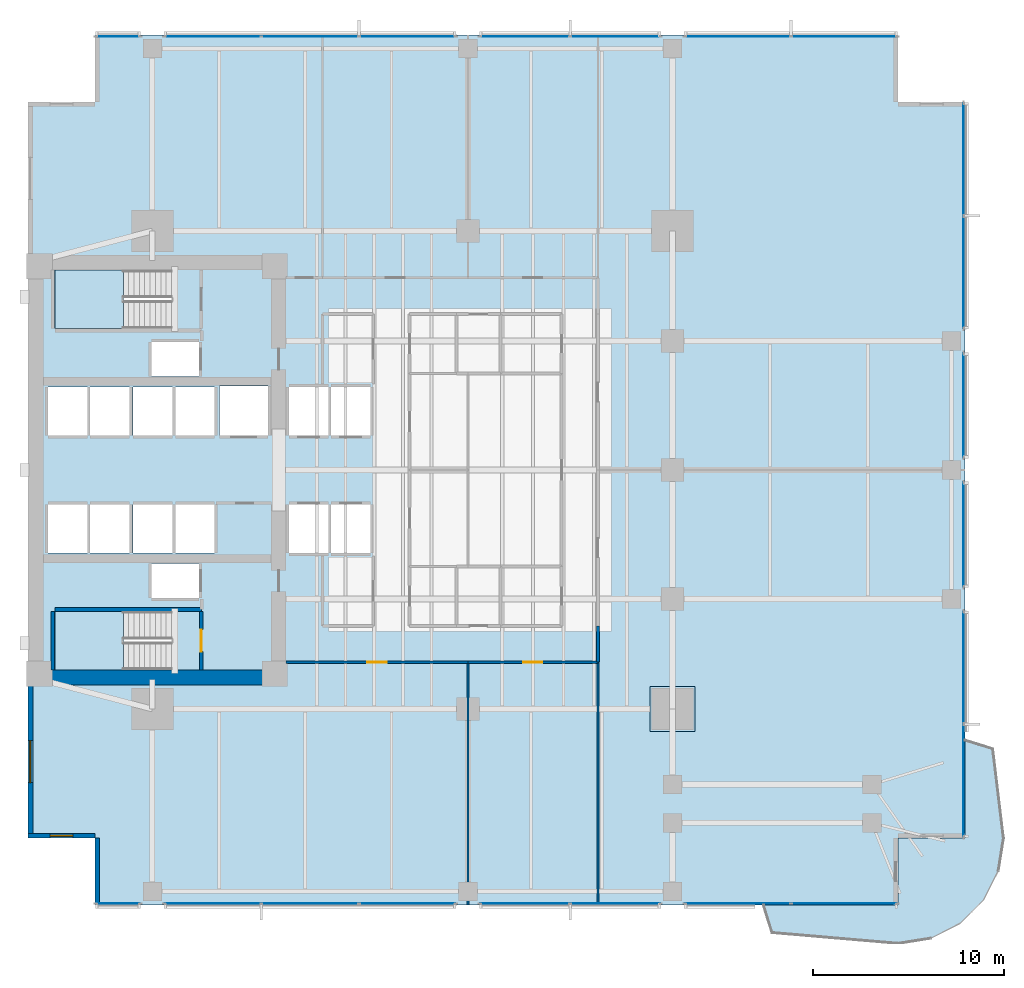
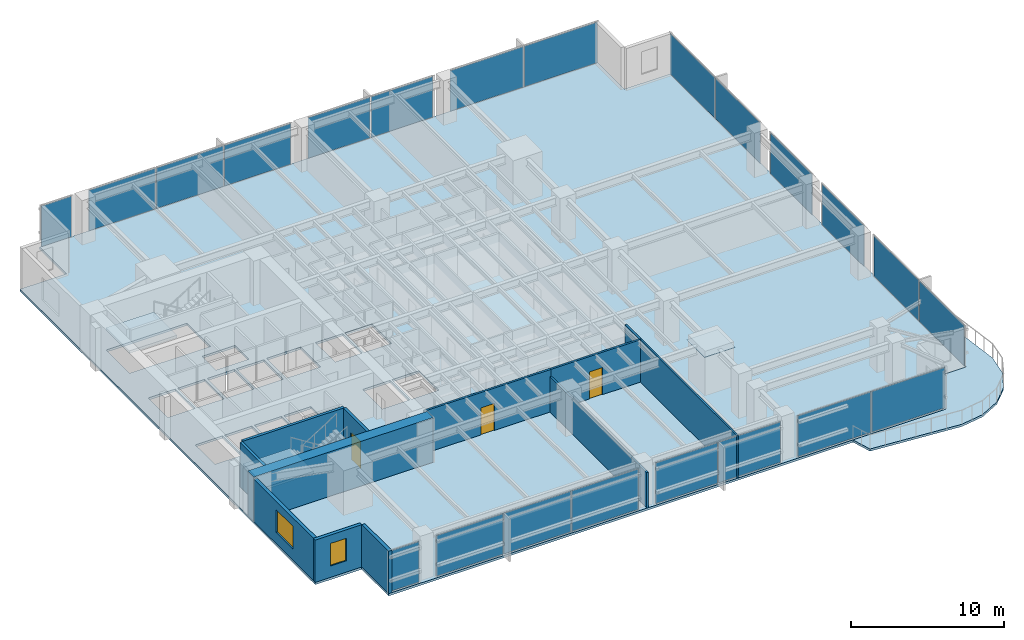
# One storey, part 7 of 15: 23 plates, 12 walls, 4 slabs, 3 doors, 2 windows, 5 openings, 14 elements without a shape of their own.
"""IFC4 building model written with IfcOpenShell, lengths in metres."""

from ifc_helpers import new_model, si_unit, direction, frame, frame_2d, origin, origin_2d, place, context, subcontext, project, spatial, polyline, rectangle, outline, extrude, material, layer, layer_set, type_object, element, fill, aggregate, save


model = new_model("IFC4")

# Units and contexts
model_context = context("Model", 3, precision=1e-05, world=origin(), true_north=direction((0.0, 1.0)))
body_context = subcontext(model_context, "Body", "Model", "MODEL_VIEW")
ifc_project = project(units=[si_unit("LENGTHUNIT", "METRE"), si_unit("AREAUNIT", "SQUARE_METRE"), si_unit("VOLUMEUNIT", "CUBIC_METRE"), si_unit("PLANEANGLEUNIT", "RADIAN"), si_unit("MASSUNIT", "GRAM", prefix="KILO")], contexts=[model_context])

# Site, building, storey
site_placement = place(None, origin())
site = spatial("IfcSite", under=ifc_project, at=site_placement, CompositionType="ELEMENT")
building_placement = place(site_placement, origin())
building = spatial("IfcBuilding", under=site, at=building_placement, Name="Kinhvarn Gate Tower", CompositionType="ELEMENT")
storey_placement = place(building_placement, frame((0.0, 0.0, 43.35009765625)))
storey = spatial("IfcBuildingStorey", under=building, at=storey_placement, Name="L10", CompositionType="ELEMENT", Elevation=43.35009765625)

# Curtain wall, plate
ifc_material_1 = material(Name="Anodised aluminium AW-6063", Category="aluminium")
ifc_layer_1 = layer(ifc_material_1, 0.179931640625)
ifc_layer_set_1 = layer_set([ifc_layer_1], Name="Anodised aluminium AW-6063")
curtain_wall_type = type_object("IfcCurtainWallType", Name="CW-SYS-2", PredefinedType="NOTDEFINED", material=ifc_layer_set_1)
curtain_wall_1_placement = place(storey_placement, origin())
curtain_wall_1 = element("IfcCurtainWall", 1, at=curtain_wall_1_placement, inside=storey, type_object=curtain_wall_type, Name="Curtain Wall CW2 (L10)", PredefinedType="NOTDEFINED")
ifc_material_2 = material(Name="Clear low-e double glazing", Category="glass")
ifc_layer_2 = layer(ifc_material_2, 0.031982421875)
ifc_layer_set_2 = layer_set([ifc_layer_2], Name="Clear low-e double glazing")
plate_type_1 = type_object("IfcPlateType", Name="CW-PNL-VIS", PredefinedType="CURTAIN_PANEL", material=ifc_layer_set_2)
plate_1_placement = place(storey_placement, frame((9.2099609375, 2.590087890625, 0.06982421875), z_axis=(0.0, 0.0, 1.0), x_axis=(1.0, 0.0, 0.0)))
plate_1 = element("IfcPlate", 2, at=plate_1_placement, type_object=plate_type_1, Name="CW2 panel 1.1", PredefinedType="CURTAIN_PANEL", context=body_context, shape_type="SweptSolid", body=[
    extrude(rectangle(XDim=2.280029296875, YDim=0.031982421875, at=origin_2d()), origin(), (0.0, 0.0, 1.0), 3.22998046875),
])
aggregate(curtain_wall_1, [plate_1])

# Curtain wall, plates
curtain_wall_2_placement = place(storey_placement, origin())
curtain_wall_2 = element("IfcCurtainWall", 3, at=curtain_wall_2_placement, inside=storey, type_object=curtain_wall_type, Name="Curtain Wall CW2 (L10)", PredefinedType="NOTDEFINED")
plate_2_placement = place(storey_placement, frame((14.154052734375, 2.590087890625, 0.06982421875), z_axis=(0.0, 0.0, 1.0), x_axis=(1.0, 0.0, 0.0)))
plate_2 = element("IfcPlate", 4, at=plate_2_placement, type_object=plate_type_1, Name="CW2 panel 1.1", PredefinedType="CURTAIN_PANEL", context=body_context, shape_type="SweptSolid", body=[
    extrude(rectangle(XDim=5.00830078125, YDim=0.031982421875, at=origin_2d()), origin(), (0.0, 0.0, 1.0), 3.22998046875),
])
plate_3_placement = place(storey_placement, frame((19.25, 2.590087890625, 0.06982421875), z_axis=(0.0, 0.0, 1.0), x_axis=(1.0, 0.0, 0.0)))
plate_3 = element("IfcPlate", 5, at=plate_3_placement, type_object=plate_type_1, Name="CW2 panel 2.1", PredefinedType="CURTAIN_PANEL", context=body_context, shape_type="SweptSolid", body=[
    extrude(rectangle(XDim=5.043212890625, YDim=0.031982421875, at=origin_2d()), origin(), (0.0, 0.0, 1.0), 3.22998046875),
])
plate_4_placement = place(storey_placement, frame((24.345947265625, 2.590087890625, 0.06982421875), z_axis=(0.0, 0.0, 1.0), x_axis=(1.0, 0.0, 0.0)))
plate_4 = element("IfcPlate", 6, at=plate_4_placement, type_object=plate_type_1, Name="CW2 panel 3.1", PredefinedType="CURTAIN_PANEL", context=body_context, shape_type="SweptSolid", body=[
    extrude(rectangle(XDim=5.00830078125, YDim=0.031982421875, at=origin_2d()), origin(), (0.0, 0.0, 1.0), 3.22998046875),
])
aggregate(curtain_wall_2, [plate_2, plate_3, plate_4])

curtain_wall_3_placement = place(storey_placement, origin())
curtain_wall_3 = element("IfcCurtainWall", 7, at=curtain_wall_3_placement, inside=storey, type_object=curtain_wall_type, Name="Curtain Wall CW2 (L10)", PredefinedType="NOTDEFINED")
plate_5_placement = place(storey_placement, frame((30.482421875, 2.590087890625, 0.06982421875), z_axis=(0.0, 0.0, 1.0), x_axis=(1.0, 0.0, 0.0)))
plate_5 = element("IfcPlate", 8, at=plate_5_placement, type_object=plate_type_1, Name="CW2 panel 1.1", PredefinedType="CURTAIN_PANEL", context=body_context, shape_type="SweptSolid", body=[
    extrude(rectangle(XDim=4.6650390625, YDim=0.031982421875, at=origin_2d()), origin(), (0.0, 0.0, 1.0), 3.22998046875),
])
plate_6_placement = place(storey_placement, frame((35.217529296875, 2.590087890625, 0.06982421875), z_axis=(0.0, 0.0, 1.0), x_axis=(1.0, 0.0, 0.0)))
plate_6 = element("IfcPlate", 9, at=plate_6_placement, type_object=plate_type_1, Name="CW2 panel 2.1", PredefinedType="CURTAIN_PANEL", context=body_context, shape_type="SweptSolid", body=[
    extrude(rectangle(XDim=4.6650390625, YDim=0.031982421875, at=origin_2d()), origin(), (0.0, 0.0, 1.0), 3.22998046875),
])
aggregate(curtain_wall_3, [plate_5, plate_6])

curtain_wall_4_placement = place(storey_placement, origin())
curtain_wall_4 = element("IfcCurtainWall", 10, at=curtain_wall_4_placement, inside=storey, type_object=curtain_wall_type, Name="Curtain Wall CW2 (L10)", PredefinedType="NOTDEFINED")
plate_7_placement = place(storey_placement, frame((41.6025390625, 2.590087890625, 0.06982421875), z_axis=(0.0, 0.0, 1.0), x_axis=(1.0, 0.0, 0.0)))
plate_7 = element("IfcPlate", 11, at=plate_7_placement, type_object=plate_type_1, Name="CW2 panel 1.1", PredefinedType="CURTAIN_PANEL", context=body_context, shape_type="SweptSolid", body=[
    extrude(rectangle(XDim=5.5048828125, YDim=0.031982421875, at=origin_2d()), origin(), (0.0, 0.0, 1.0), 3.22998046875),
])
plate_8_placement = place(storey_placement, frame((47.177490234375, 2.590087890625, 0.06982421875), z_axis=(0.0, 0.0, 1.0), x_axis=(1.0, 0.0, 0.0)))
plate_8 = element("IfcPlate", 12, at=plate_8_placement, type_object=plate_type_1, Name="CW2 panel 2.1", PredefinedType="CURTAIN_PANEL", context=body_context, shape_type="SweptSolid", body=[
    extrude(rectangle(XDim=5.5048828125, YDim=0.031982421875, at=origin_2d()), origin(), (0.0, 0.0, 1.0), 3.22998046875),
])
aggregate(curtain_wall_4, [plate_7, plate_8])

curtain_wall_5_placement = place(storey_placement, origin())
curtain_wall_5 = element("IfcCurtainWall", 13, at=curtain_wall_5_placement, inside=storey, type_object=curtain_wall_type, Name="Curtain Wall CW2 (L10)", PredefinedType="NOTDEFINED")
plate_9_placement = place(storey_placement, frame((47.177490234375, 47.909912109375, 0.06982421875), z_axis=(0.0, 0.0, 1.0), x_axis=(-1.0, 0.0, 0.0)))
plate_9 = element("IfcPlate", 14, at=plate_9_placement, type_object=plate_type_1, Name="CW2 panel 1.1", PredefinedType="CURTAIN_PANEL", context=body_context, shape_type="SweptSolid", body=[
    extrude(rectangle(XDim=5.5048828125, YDim=0.031982421875, at=origin_2d()), origin(), (0.0, 0.0, 1.0), 3.22998046875),
])
plate_10_placement = place(storey_placement, frame((41.6025390625, 47.909912109375, 0.06982421875), z_axis=(0.0, 0.0, 1.0), x_axis=(-1.0, 0.0, 0.0)))
plate_10 = element("IfcPlate", 15, at=plate_10_placement, type_object=plate_type_1, Name="CW2 panel 2.1", PredefinedType="CURTAIN_PANEL", context=body_context, shape_type="SweptSolid", body=[
    extrude(rectangle(XDim=5.5048828125, YDim=0.031982421875, at=origin_2d()), origin(), (0.0, 0.0, 1.0), 3.22998046875),
])
aggregate(curtain_wall_5, [plate_9, plate_10])

curtain_wall_6_placement = place(storey_placement, origin())
curtain_wall_6 = element("IfcCurtainWall", 16, at=curtain_wall_6_placement, inside=storey, type_object=curtain_wall_type, Name="Curtain Wall CW2 (L10)", PredefinedType="NOTDEFINED")
plate_11_placement = place(storey_placement, frame((35.217529296875, 47.909912109375, 0.06982421875), z_axis=(0.0, 0.0, 1.0), x_axis=(-1.0, 0.0, 0.0)))
plate_11 = element("IfcPlate", 17, at=plate_11_placement, type_object=plate_type_1, Name="CW2 panel 1.1", PredefinedType="CURTAIN_PANEL", context=body_context, shape_type="SweptSolid", body=[
    extrude(rectangle(XDim=4.6650390625, YDim=0.031982421875, at=origin_2d()), origin(), (0.0, 0.0, 1.0), 3.22998046875),
])
plate_12_placement = place(storey_placement, frame((30.482421875, 47.909912109375, 0.06982421875), z_axis=(0.0, 0.0, 1.0), x_axis=(-1.0, 0.0, 0.0)))
plate_12 = element("IfcPlate", 18, at=plate_12_placement, type_object=plate_type_1, Name="CW2 panel 2.1", PredefinedType="CURTAIN_PANEL", context=body_context, shape_type="SweptSolid", body=[
    extrude(rectangle(XDim=4.6650390625, YDim=0.031982421875, at=origin_2d()), origin(), (0.0, 0.0, 1.0), 3.22998046875),
])
aggregate(curtain_wall_6, [plate_11, plate_12])

curtain_wall_7_placement = place(storey_placement, origin())
curtain_wall_7 = element("IfcCurtainWall", 19, at=curtain_wall_7_placement, inside=storey, type_object=curtain_wall_type, Name="Curtain Wall CW2 (L10)", PredefinedType="NOTDEFINED")
plate_13_placement = place(storey_placement, frame((24.345947265625, 47.909912109375, 0.06982421875), z_axis=(0.0, 0.0, 1.0), x_axis=(-1.0, 0.0, 0.0)))
plate_13 = element("IfcPlate", 20, at=plate_13_placement, type_object=plate_type_1, Name="CW2 panel 1.1", PredefinedType="CURTAIN_PANEL", context=body_context, shape_type="SweptSolid", body=[
    extrude(rectangle(XDim=5.00830078125, YDim=0.031982421875, at=origin_2d()), origin(), (0.0, 0.0, 1.0), 3.22998046875),
])
plate_14_placement = place(storey_placement, frame((19.25, 47.909912109375, 0.06982421875), z_axis=(0.0, 0.0, 1.0), x_axis=(-1.0, 0.0, 0.0)))
plate_14 = element("IfcPlate", 21, at=plate_14_placement, type_object=plate_type_1, Name="CW2 panel 2.1", PredefinedType="CURTAIN_PANEL", context=body_context, shape_type="SweptSolid", body=[
    extrude(rectangle(XDim=5.043212890625, YDim=0.031982421875, at=origin_2d()), origin(), (0.0, 0.0, 1.0), 3.22998046875),
])
plate_15_placement = place(storey_placement, frame((14.154052734375, 47.909912109375, 0.06982421875), z_axis=(0.0, 0.0, 1.0), x_axis=(-1.0, 0.0, 0.0)))
plate_15 = element("IfcPlate", 22, at=plate_15_placement, type_object=plate_type_1, Name="CW2 panel 3.1", PredefinedType="CURTAIN_PANEL", context=body_context, shape_type="SweptSolid", body=[
    extrude(rectangle(XDim=5.00830078125, YDim=0.031982421875, at=origin_2d()), origin(), (0.0, 0.0, 1.0), 3.22998046875),
])
aggregate(curtain_wall_7, [plate_13, plate_14, plate_15])

# Curtain wall, plate
curtain_wall_8_placement = place(storey_placement, origin())
curtain_wall_8 = element("IfcCurtainWall", 23, at=curtain_wall_8_placement, inside=storey, type_object=curtain_wall_type, Name="Curtain Wall CW2 (L10)", PredefinedType="NOTDEFINED")
plate_16_placement = place(storey_placement, frame((9.2099609375, 47.909912109375, 0.06982421875), z_axis=(0.0, 0.0, 1.0), x_axis=(-1.0, 0.0, 0.0)))
plate_16 = element("IfcPlate", 24, at=plate_16_placement, type_object=plate_type_1, Name="CW2 panel 1.1", PredefinedType="CURTAIN_PANEL", context=body_context, shape_type="SweptSolid", body=[
    extrude(rectangle(XDim=2.280029296875, YDim=0.031982421875, at=origin_2d()), origin(), (0.0, 0.0, 1.0), 3.22998046875),
])
aggregate(curtain_wall_8, [plate_16])

# Curtain wall, plates
curtain_wall_9_placement = place(storey_placement, origin())
curtain_wall_9 = element("IfcCurtainWall", 25, at=curtain_wall_9_placement, inside=storey, type_object=curtain_wall_type, Name="Curtain Wall CW2 (L10)", PredefinedType="NOTDEFINED")
plate_17_placement = place(storey_placement, frame((53.409912109375, 8.99755859375, 0.06982421875), z_axis=(0.0, 0.0, 1.0), x_axis=(0.0, 1.0, 0.0)))
plate_17 = element("IfcPlate", 26, at=plate_17_placement, type_object=plate_type_1, Name="CW2 panel 1.1", PredefinedType="CURTAIN_PANEL", context=body_context, shape_type="SweptSolid", body=[
    extrude(rectangle(XDim=5.85498046875, YDim=0.031982421875, at=origin_2d()), origin(), (0.0, 0.0, 1.0), 3.22998046875),
])
plate_18_placement = place(storey_placement, frame((53.409912109375, 14.922607421875, 0.06982421875), z_axis=(0.0, 0.0, 1.0), x_axis=(0.0, 1.0, 0.0)))
plate_18 = element("IfcPlate", 27, at=plate_18_placement, type_object=plate_type_1, Name="CW2 panel 2.1", PredefinedType="CURTAIN_PANEL", context=body_context, shape_type="SweptSolid", body=[
    extrude(rectangle(XDim=5.85498046875, YDim=0.031982421875, at=origin_2d()), origin(), (0.0, 0.0, 1.0), 3.22998046875),
])
aggregate(curtain_wall_9, [plate_17, plate_18])

# Curtain wall, plate
curtain_wall_10_placement = place(storey_placement, origin())
curtain_wall_10 = element("IfcCurtainWall", 28, at=curtain_wall_10_placement, inside=storey, type_object=curtain_wall_type, Name="Curtain Wall CW2 (L10)", PredefinedType="NOTDEFINED")
plate_19_placement = place(storey_placement, frame((53.409912109375, 21.875, 0.06982421875), z_axis=(0.0, 0.0, 1.0), x_axis=(0.0, 1.0, 0.0)))
plate_19 = element("IfcPlate", 29, at=plate_19_placement, type_object=plate_type_1, Name="CW2 panel 1.1", PredefinedType="CURTAIN_PANEL", context=body_context, shape_type="SweptSolid", body=[
    extrude(rectangle(XDim=5.449951171875, YDim=0.031982421875, at=origin_2d()), origin(), (0.0, 0.0, 1.0), 3.22998046875),
])
aggregate(curtain_wall_10, [plate_19])

curtain_wall_11_placement = place(storey_placement, origin())
curtain_wall_11 = element("IfcCurtainWall", 30, at=curtain_wall_11_placement, inside=storey, type_object=curtain_wall_type, Name="Curtain Wall CW2 (L10)", PredefinedType="NOTDEFINED")
plate_20_placement = place(storey_placement, frame((53.409912109375, 28.625, 0.06982421875), z_axis=(0.0, 0.0, 1.0), x_axis=(0.0, 1.0, 0.0)))
plate_20 = element("IfcPlate", 31, at=plate_20_placement, type_object=plate_type_1, Name="CW2 panel 1.1", PredefinedType="CURTAIN_PANEL", context=body_context, shape_type="SweptSolid", body=[
    extrude(rectangle(XDim=5.449951171875, YDim=0.031982421875, at=origin_2d()), origin(), (0.0, 0.0, 1.0), 3.22998046875),
])
aggregate(curtain_wall_11, [plate_20])

# Curtain wall, plates
curtain_wall_12_placement = place(storey_placement, origin())
curtain_wall_12 = element("IfcCurtainWall", 32, at=curtain_wall_12_placement, inside=storey, type_object=curtain_wall_type, Name="Curtain Wall CW2 (L10)", PredefinedType="NOTDEFINED")
plate_21_placement = place(storey_placement, frame((53.409912109375, 35.577392578125, 0.06982421875), z_axis=(0.0, 0.0, 1.0), x_axis=(0.0, 1.0, 0.0)))
plate_21 = element("IfcPlate", 33, at=plate_21_placement, type_object=plate_type_1, Name="CW2 panel 1.1", PredefinedType="CURTAIN_PANEL", context=body_context, shape_type="SweptSolid", body=[
    extrude(rectangle(XDim=5.85498046875, YDim=0.031982421875, at=origin_2d()), origin(), (0.0, 0.0, 1.0), 3.22998046875),
])
plate_22_placement = place(storey_placement, frame((53.409912109375, 41.50244140625, 0.06982421875), z_axis=(0.0, 0.0, 1.0), x_axis=(0.0, 1.0, 0.0)))
plate_22 = element("IfcPlate", 34, at=plate_22_placement, type_object=plate_type_1, Name="CW2 panel 2.1", PredefinedType="CURTAIN_PANEL", context=body_context, shape_type="SweptSolid", body=[
    extrude(rectangle(XDim=5.85498046875, YDim=0.031982421875, at=origin_2d()), origin(), (0.0, 0.0, 1.0), 3.22998046875),
])
aggregate(curtain_wall_12, [plate_21, plate_22])

# Plate
ifc_material_3 = material(Name="Steel S355", Category="steel")
ifc_layer_3 = layer(ifc_material_3, 0.031982421875)
ifc_layer_set_3 = layer_set([ifc_layer_3], Name="Steel S355")
plate_type_2 = type_object("IfcPlateType", Name="PLT-NODE-KN3", PredefinedType="USERDEFINED", material=ifc_layer_set_3)
plate_23_placement = place(storey_placement, frame((0.0, 0.0, 3.10400390625)))
element("IfcPlate", 35, at=plate_23_placement, inside=storey, type_object=plate_type_2, Name="Structural Node Cap Plate KN3", ObjectType="GUSSET_PLATE", PredefinedType="USERDEFINED", context=body_context, shape_type="SweptSolid", body=[
    extrude(outline(polyline([(37.030029296875, 11.580078125), (39.3701171875, 11.580078125), (39.3701171875, 13.919921875), (37.030029296875, 13.919921875), (37.030029296875, 11.580078125)])), origin(), (0.0, 0.0, 1.0), 0.031982421875),
])

# Slabs
ifc_material_4 = material(Name="Precast white architectural concrete C40/50", Category="concrete")
ifc_layer_4 = layer(ifc_material_4, 0.179931640625)
ifc_layer_set_4 = layer_set([ifc_layer_4], Name="Precast white architectural concrete C40/50")
slab_type_1 = type_object("IfcSlabType", Name="SLB-BAL-180", PredefinedType="FLOOR", material=ifc_layer_set_4)
slab_1_placement = place(storey_placement, frame((0.0, 0.0, -0.18017578125)))
element("IfcSlab", 36, at=slab_1_placement, inside=storey, type_object=slab_type_1, Name="S-Carve Curved Terrace Balcony Slab L10 (SE)", PredefinedType="FLOOR", context=body_context, shape_type="SweptSolid", body=[
    extrude(outline(polyline([(42.9609375, 2.5), (43.410888671875, 1.05419921875), (50.0, 0.491943359375), (51.7021484375, 0.76171875), (53.237548828125, 1.5439453125), (54.4560546875, 2.762451171875), (55.23828125, 4.2978515625), (55.508056640625, 6.0), (54.94580078125, 10.6630859375), (53.5, 11.113037109375), (53.5, 6.0), (50.0, 6.0), (50.0, 2.5), (42.9609375, 2.5)])), origin(), (0.0, 0.0, 1.0), 0.18017578125),
])
ifc_material_5 = material(Name="Concrete C40/50", Category="concrete")
ifc_layer_5 = layer(ifc_material_5, 0.179931640625)
ifc_layer_set_5 = layer_set([ifc_layer_5], Name="Concrete C40/50")
slab_type_2 = type_object("IfcSlabType", Name="SLB-FLR-180", PredefinedType="FLOOR", material=ifc_layer_set_5)
slab_2_placement = place(storey_placement, frame((0.0, 0.0, -0.18017578125)))
element("IfcSlab", 37, at=slab_2_placement, inside=storey, type_object=slab_type_2, Name="Suspended Floor Slab L10", PredefinedType="FLOOR", context=body_context, shape_type="SweptSolid", body=[
    extrude(outline(polyline([(8.0, 2.5), (50.0, 2.5), (50.0, 6.0), (53.5, 6.0), (53.5, 44.5), (50.0, 44.5), (50.0, 48.0), (8.0, 48.0), (8.0, 44.5), (4.5, 44.5), (4.5, 6.0), (8.0, 6.0), (8.0, 2.5)]), holes=[polyline([(5.89990234375, 14.800048828125), (12.0, 14.800048828125), (12.0, 17.85009765625), (5.89990234375, 17.85009765625), (5.89990234375, 14.800048828125)]), polyline([(5.89990234375, 32.64990234375), (12.0, 32.64990234375), (12.0, 35.699951171875), (5.89990234375, 35.699951171875), (5.89990234375, 32.64990234375)]), polyline([(18.14990234375, 20.89990234375), (20.199951171875, 20.89990234375), (20.199951171875, 23.449951171875), (18.14990234375, 23.449951171875), (18.14990234375, 20.89990234375)]), polyline([(20.35009765625, 20.89990234375), (22.39990234375, 20.89990234375), (22.39990234375, 23.449951171875), (20.35009765625, 23.449951171875), (20.35009765625, 20.89990234375)]), polyline([(18.14990234375, 27.050048828125), (20.199951171875, 27.050048828125), (20.199951171875, 29.60009765625), (18.14990234375, 29.60009765625), (18.14990234375, 27.050048828125)]), polyline([(20.35009765625, 27.050048828125), (22.39990234375, 27.050048828125), (22.39990234375, 29.60009765625), (20.35009765625, 29.60009765625), (20.35009765625, 27.050048828125)]), polyline([(5.550048828125, 20.89990234375), (7.60009765625, 20.89990234375), (7.60009765625, 23.449951171875), (5.550048828125, 23.449951171875), (5.550048828125, 20.89990234375)]), polyline([(7.75, 20.89990234375), (9.800048828125, 20.89990234375), (9.800048828125, 23.449951171875), (7.75, 23.449951171875), (7.75, 20.89990234375)]), polyline([(5.550048828125, 27.050048828125), (7.60009765625, 27.050048828125), (7.60009765625, 29.60009765625), (5.550048828125, 29.60009765625), (5.550048828125, 27.050048828125)]), polyline([(7.75, 27.050048828125), (9.800048828125, 27.050048828125), (9.800048828125, 29.60009765625), (7.75, 29.60009765625), (7.75, 27.050048828125)]), polyline([(10.0, 20.89990234375), (12.050048828125, 20.89990234375), (12.050048828125, 23.449951171875), (10.0, 23.449951171875), (10.0, 20.89990234375)]), polyline([(12.199951171875, 20.89990234375), (14.25, 20.89990234375), (14.25, 23.449951171875), (12.199951171875, 23.449951171875), (12.199951171875, 20.89990234375)]), polyline([(10.0, 27.050048828125), (12.050048828125, 27.050048828125), (12.050048828125, 29.60009765625), (10.0, 29.60009765625), (10.0, 27.050048828125)]), polyline([(12.199951171875, 27.050048828125), (14.25, 27.050048828125), (14.25, 29.60009765625), (12.199951171875, 29.60009765625), (12.199951171875, 27.050048828125)]), polyline([(14.5, 27.050048828125), (17.050048828125, 27.050048828125), (17.050048828125, 29.64990234375), (14.5, 29.64990234375), (14.5, 27.050048828125)]), polyline([(10.949951171875, 18.550048828125), (13.449951171875, 18.550048828125), (13.449951171875, 20.35009765625), (10.949951171875, 20.35009765625), (10.949951171875, 18.550048828125)]), polyline([(10.949951171875, 30.14990234375), (13.449951171875, 30.14990234375), (13.449951171875, 31.949951171875), (10.949951171875, 31.949951171875), (10.949951171875, 30.14990234375)])]), origin(), (0.0, 0.0, 1.0), 0.18017578125),
])

# Stair, slab
stair_type = type_object("IfcStairType", Name="STR-DLG-177", PredefinedType="HALF_TURN_STAIR", material=ifc_material_5)
stair_1_placement = place(storey_placement, origin())
stair_1 = element("IfcStair", 38, at=stair_1_placement, inside=storey, type_object=stair_type, Name="L10 Core Smokeproof Exit Stair ST1", PredefinedType="HALF_TURN_STAIR")
ifc_layer_6 = layer(ifc_material_5, 0.199951171875)
ifc_layer_set_6 = layer_set([ifc_layer_6], Name="Concrete C40/50")
slab_type_3 = type_object("IfcSlabType", Name="SLB-ST-LND", PredefinedType="LANDING", material=ifc_layer_set_6)
slab_3_placement = place(storey_placement, frame((0.0, 0.0, 1.574951171875)))
slab_3 = element("IfcSlab", 39, at=slab_3_placement, type_object=slab_type_3, Name="ST1 landing 1", PredefinedType="LANDING", context=body_context, shape_type="SweptSolid", body=[
    extrude(outline(polyline([(9.47998046875, 17.85009765625), (5.89990234375, 17.85009765625), (5.89990234375, 14.800048828125), (9.47998046875, 14.800048828125), (9.47998046875, 17.85009765625)])), origin(), (0.0, 0.0, 1.0), 0.199951171875),
])
aggregate(stair_1, [slab_3])

stair_2_placement = place(storey_placement, origin())
stair_2 = element("IfcStair", 40, at=stair_2_placement, inside=storey, type_object=stair_type, Name="L10 Core Smokeproof Exit Stair ST2", PredefinedType="HALF_TURN_STAIR")
slab_4_placement = place(storey_placement, frame((0.0, 0.0, 1.574951171875)))
slab_4 = element("IfcSlab", 41, at=slab_4_placement, type_object=slab_type_3, Name="ST2 landing 1", PredefinedType="LANDING", context=body_context, shape_type="SweptSolid", body=[
    extrude(outline(polyline([(9.47998046875, 35.699951171875), (5.89990234375, 35.699951171875), (5.89990234375, 32.64990234375), (9.47998046875, 32.64990234375), (9.47998046875, 35.699951171875)])), origin(), (0.0, 0.0, 1.0), 0.199951171875),
])
aggregate(stair_2, [slab_4])

# Wall
ifc_material_6 = material(Name="Concrete C70/85", Category="concrete")
ifc_layer_7 = layer(ifc_material_6, 0.800048828125)
ifc_layer_set_7 = layer_set([ifc_layer_7], Name="Concrete C70/85")
wall_type_1 = type_object("IfcWallType", Name="WL-CORE-800", PredefinedType="SHEAR", material=ifc_layer_set_7)
wall_1_placement = place(storey_placement, frame((4.5, 14.39990234375, 0.0), z_axis=(0.0, 0.0, 1.0), x_axis=(1.0, 0.0, 0.0)))
element("IfcWall", 42, at=wall_1_placement, inside=storey, type_object=wall_type_1, Name="Core South Shear Wall L10 800 mm", PredefinedType="SHEAR", context=body_context, shape_type="SweptSolid", body=[
    extrude(rectangle(XDim=13.5, YDim=0.800048828125, at=frame_2d((6.75, 0.0))), origin(), (0.0, 0.0, 1.0), 3.5498046875),
])

# Wall, opening, window
ifc_material_7 = material(Name="Fired architectural terracotta", Category="masonry")
ifc_layer_8 = layer(ifc_material_7, 0.25)
ifc_layer_set_8 = layer_set([ifc_layer_8], Name="Fired architectural terracotta")
wall_type_2 = type_object("IfcWallType", Name="WL-EXT-250", PredefinedType="SOLIDWALL", material=ifc_layer_set_8)
wall_2_placement = place(storey_placement, frame((4.625, 14.0, 0.0), z_axis=(0.0, 0.0, 1.0), x_axis=(0.0, -1.0, 0.0)))
wall_2 = element("IfcWall", 43, at=wall_2_placement, inside=storey, type_object=wall_type_2, Name="Exterior Solidwall Wall EW-250 (L10 West-South)", PredefinedType="SOLIDWALL", context=body_context, shape_type="SweptSolid", body=[
    extrude(rectangle(XDim=8.0, YDim=0.25, at=frame_2d((4.0, 0.0))), origin(), (0.0, 0.0, 1.0), 3.369873046875),
])
opening_1_placement = place(wall_2_placement, frame((2.89990234375, 0.0, 0.89990234375)))
opening_1 = element("IfcOpeningElement", 44, at=opening_1_placement, cuts=wall_2, Name="Opening WN-01", PredefinedType="OPENING", context=body_context, shape_type="SweptSolid", body=[
    extrude(rectangle(XDim=2.199951171875, YDim=1.800048828125, at=frame_2d((1.10009765625, 0.89990234375))), frame((0.0, 0.135009765625, 0.0), z_axis=(0.0, -1.0, 0.0), x_axis=(1.0, 0.0, 0.0)), (0.0, 0.0, 1.0), 0.27001953125),
])
window_type_1 = type_object("IfcWindowType", Name="WIN-RIB-2200", PartitioningType="SINGLE_PANEL", PredefinedType="WINDOW", material=ifc_material_2)
window_1_placement = place(opening_1_placement, origin())
window_1 = element("IfcWindow", 45, at=window_1_placement, inside=storey, type_object=window_type_1, Name="West Flank Double-Glazed Ribbon Window 2200x1800 mm (L10)", OverallHeight=1.800048828125, OverallWidth=2.199951171875, PartitioningType="SINGLE_PANEL", PredefinedType="WINDOW", context=body_context, shape_type="SweptSolid", body=[
    extrude(rectangle(XDim=2.199951171875, YDim=1.800048828125, at=frame_2d((1.10009765625, 0.89990234375))), frame((0.0, 0.030029296875, 0.0), z_axis=(0.0, -1.0, 0.0), x_axis=(1.0, 0.0, 0.0)), (0.0, 0.0, 1.0), 0.06005859375),
])
fill(opening_1, window_1)

wall_3_placement = place(storey_placement, frame((4.5, 6.125, 0.0), z_axis=(0.0, 0.0, 1.0), x_axis=(1.0, 0.0, 0.0)))
wall_3 = element("IfcWall", 46, at=wall_3_placement, inside=storey, type_object=wall_type_2, Name="Exterior Solidwall Wall EW-250 (L10 SW-Notch-1)", PredefinedType="SOLIDWALL", context=body_context, shape_type="SweptSolid", body=[
    extrude(rectangle(XDim=3.5, YDim=0.25, at=frame_2d((1.75, 0.0))), origin(), (0.0, 0.0, 1.0), 3.369873046875),
])
opening_2_placement = place(wall_3_placement, frame((1.14990234375, 0.0, 0.89990234375)))
opening_2 = element("IfcOpeningElement", 47, at=opening_2_placement, cuts=wall_3, Name="Opening WN-02", PredefinedType="OPENING", context=body_context, shape_type="SweptSolid", body=[
    extrude(rectangle(XDim=1.199951171875, YDim=1.800048828125, at=frame_2d((0.60009765625, 0.89990234375))), frame((0.0, 0.135009765625, 0.0), z_axis=(0.0, -1.0, 0.0), x_axis=(1.0, 0.0, 0.0)), (0.0, 0.0, 1.0), 0.27001953125),
])
window_type_2 = type_object("IfcWindowType", Name="WIN-NTC-1200", PartitioningType="SINGLE_PANEL", PredefinedType="WINDOW", material=ifc_material_2)
window_2_placement = place(opening_2_placement, origin())
window_2 = element("IfcWindow", 48, at=window_2_placement, inside=storey, type_object=window_type_2, Name="Recessed Corner Notch Punched Window 1200x1800 mm (L10)", OverallHeight=1.800048828125, OverallWidth=1.199951171875, PartitioningType="SINGLE_PANEL", PredefinedType="WINDOW", context=body_context, shape_type="SweptSolid", body=[
    extrude(rectangle(XDim=1.199951171875, YDim=1.800048828125, at=frame_2d((0.60009765625, 0.89990234375))), frame((0.0, 0.030029296875, 0.0), z_axis=(0.0, -1.0, 0.0), x_axis=(1.0, 0.0, 0.0)), (0.0, 0.0, 1.0), 0.06005859375),
])
fill(opening_2, window_2)

# Walls
wall_4_placement = place(storey_placement, frame((8.125, 6.0, 0.0), z_axis=(0.0, 0.0, 1.0), x_axis=(0.0, -1.0, 0.0)))
element("IfcWall", 49, at=wall_4_placement, inside=storey, type_object=wall_type_2, Name="Exterior Solidwall Wall EW-250 (L10 SW-Notch-2)", PredefinedType="SOLIDWALL", context=body_context, shape_type="SweptSolid", body=[
    extrude(rectangle(XDim=3.5, YDim=0.25, at=frame_2d((1.75, 0.0))), origin(), (0.0, 0.0, 1.0), 3.369873046875),
])
ifc_material_8 = material(Name="Gypsum acoustic partition board")
ifc_layer_9 = layer(ifc_material_8, 0.1201171875)
ifc_layer_set_9 = layer_set([ifc_layer_9], Name="Gypsum acoustic partition board")
wall_type_3 = type_object("IfcWallType", Name="WL-PRT-120", PredefinedType="PARTITIONING", material=ifc_layer_set_9)
wall_5_placement = place(storey_placement, frame((27.5, 2.510009765625, 0.0), z_axis=(0.0, 0.0, 1.0), x_axis=(0.0, 1.0, 0.0)))
element("IfcWall", 50, at=wall_5_placement, inside=storey, type_object=wall_type_3, Name="Interior Partition PW-120 (L10)", PredefinedType="PARTITIONING", context=body_context, shape_type="SweptSolid", body=[
    extrude(rectangle(XDim=12.68994140625, YDim=0.1201171875, at=frame_2d((6.344970703125, 0.0))), origin(), (0.0, 0.0, 1.0), 2.81982421875),
])
wall_6_placement = place(storey_placement, frame((34.300048828125, 2.510009765625, 0.0), z_axis=(0.0, 0.0, 1.0), x_axis=(0.0, 1.0, 0.0)))
element("IfcWall", 51, at=wall_6_placement, inside=storey, type_object=wall_type_3, Name="Interior Partition PW-120 (L10)", PredefinedType="PARTITIONING", context=body_context, shape_type="SweptSolid", body=[
    extrude(rectangle(XDim=12.68994140625, YDim=0.1201171875, at=frame_2d((6.344970703125, 0.0))), origin(), (0.0, 0.0, 1.0), 3.369873046875),
])

# Wall, opening, door
ifc_layer_10 = layer(ifc_material_8, 0.14990234375)
ifc_layer_set_10 = layer_set([ifc_layer_10], Name="Gypsum acoustic partition board")
wall_type_4 = type_object("IfcWallType", Name="WL-PRT-150F", PredefinedType="PARTITIONING", material=ifc_layer_set_10)
wall_7_placement = place(storey_placement, frame((18.0, 15.199951171875, 0.0), z_axis=(0.0, 0.0, 1.0), x_axis=(1.0, 0.0, 0.0)))
wall_7 = element("IfcWall", 52, at=wall_7_placement, inside=storey, type_object=wall_type_4, Name="Interior Partition PW-150F (L10)", PredefinedType="PARTITIONING", context=body_context, shape_type="SweptSolid", body=[
    extrude(rectangle(XDim=9.5, YDim=0.14990234375, at=frame_2d((4.75, 0.0))), origin(), (0.0, 0.0, 1.0), 3.369873046875),
])
opening_3_placement = place(wall_7_placement, frame((4.25, 0.0, 0.0)))
opening_3 = element("IfcOpeningElement", 53, at=opening_3_placement, cuts=wall_7, Name="Opening ID-02", PredefinedType="OPENING", context=body_context, shape_type="SweptSolid", body=[
    extrude(rectangle(XDim=1.0, YDim=2.14990234375, at=frame_2d((0.5, 1.074951171875))), frame((0.0, 0.0849609375, 0.0), z_axis=(0.0, -1.0, 0.0), x_axis=(1.0, 0.0, 0.0)), (0.0, 0.0, 1.0), 0.169921875),
])
door_type_1 = type_object("IfcDoorType", Name="DR-INT-1000", OperationType="NOTDEFINED", PredefinedType="DOOR", material=ifc_material_1)
door_1_placement = place(opening_3_placement, origin())
door_1 = element("IfcDoor", 54, at=door_1_placement, inside=storey, type_object=door_type_1, Name="Standard Office & Meeting Room Door 1000x2150 mm (L10)", OperationType="SINGLE_SWING_LEFT", OverallHeight=2.14990234375, OverallWidth=1.0, PredefinedType="DOOR", context=body_context, shape_type="SweptSolid", body=[
    extrude(rectangle(XDim=1.0, YDim=2.14990234375, at=frame_2d((0.5, 1.074951171875))), frame((0.0, 0.02490234375, 0.0), z_axis=(0.0, -1.0, 0.0), x_axis=(1.0, 0.0, 0.0)), (0.0, 0.0, 1.0), 0.050048828125),
])
fill(opening_3, door_1)

wall_8_placement = place(storey_placement, frame((27.5, 15.199951171875, 0.0), z_axis=(0.0, 0.0, 1.0), x_axis=(1.0, 0.0, 0.0)))
wall_8 = element("IfcWall", 55, at=wall_8_placement, inside=storey, type_object=wall_type_4, Name="Interior Partition PW-150F (L10)", PredefinedType="PARTITIONING", context=body_context, shape_type="SweptSolid", body=[
    extrude(rectangle(XDim=6.800048828125, YDim=0.14990234375, at=frame_2d((3.39990234375, 0.0))), origin(), (0.0, 0.0, 1.0), 3.369873046875),
])
opening_4_placement = place(wall_8_placement, frame((2.89990234375, 0.0, 0.0)))
opening_4 = element("IfcOpeningElement", 56, at=opening_4_placement, cuts=wall_8, Name="Opening ID-02", PredefinedType="OPENING", context=body_context, shape_type="SweptSolid", body=[
    extrude(rectangle(XDim=1.0, YDim=2.14990234375, at=frame_2d((0.5, 1.074951171875))), frame((0.0, 0.0849609375, 0.0), z_axis=(0.0, -1.0, 0.0), x_axis=(1.0, 0.0, 0.0)), (0.0, 0.0, 1.0), 0.169921875),
])
door_2_placement = place(opening_4_placement, origin())
door_2 = element("IfcDoor", 57, at=door_2_placement, inside=storey, type_object=door_type_1, Name="Standard Office & Meeting Room Door 1000x2150 mm (L10)", OperationType="SINGLE_SWING_RIGHT", OverallHeight=2.14990234375, OverallWidth=1.0, PredefinedType="DOOR", context=body_context, shape_type="SweptSolid", body=[
    extrude(rectangle(XDim=1.0, YDim=2.14990234375, at=frame_2d((0.5, 1.074951171875))), frame((0.0, 0.02490234375, 0.0), z_axis=(0.0, -1.0, 0.0), x_axis=(1.0, 0.0, 0.0)), (0.0, 0.0, 1.0), 0.050048828125),
])
fill(opening_4, door_2)

# Walls
wall_9_placement = place(storey_placement, frame((34.300048828125, 15.199951171875, 0.0), z_axis=(0.0, 0.0, 1.0), x_axis=(0.0, 1.0, 0.0)))
element("IfcWall", 58, at=wall_9_placement, inside=storey, type_object=wall_type_4, Name="Interior Partition PW-150F (L10)", PredefinedType="PARTITIONING", context=body_context, shape_type="SweptSolid", body=[
    extrude(rectangle(XDim=1.900146484375, YDim=0.14990234375, at=frame_2d((0.9501953125, 0.0))), origin(), (0.0, 0.0, 1.0), 3.369873046875),
])
ifc_layer_11 = layer(ifc_material_5, 0.199951171875)
ifc_layer_set_11 = layer_set([ifc_layer_11], Name="Concrete C40/50")
wall_type_5 = type_object("IfcWallType", Name="WL-SHF-200", PredefinedType="SOLIDWALL", material=ifc_layer_set_11)
wall_10_placement = place(storey_placement, frame((5.7900390625, 14.800048828125, 0.0), z_axis=(0.0, 0.0, 1.0), x_axis=(0.0, 1.0, 0.0)))
element("IfcWall", 59, at=wall_10_placement, inside=storey, type_object=wall_type_5, Name="Stair ST1 West Shaft Wall (L10)", PredefinedType="SOLIDWALL", context=body_context, shape_type="SweptSolid", body=[
    extrude(rectangle(XDim=3.050048828125, YDim=0.199951171875, at=frame_2d((1.52490234375, 0.0))), origin(), (0.0, 0.0, 1.0), 3.5498046875),
])
wall_11_placement = place(storey_placement, frame((5.89990234375, 17.9599609375, 0.0), z_axis=(0.0, 0.0, 1.0), x_axis=(1.0, 0.0, 0.0)))
element("IfcWall", 60, at=wall_11_placement, inside=storey, type_object=wall_type_5, Name="Stair ST1 North Shaft Wall (L10)", PredefinedType="SOLIDWALL", context=body_context, shape_type="SweptSolid", body=[
    extrude(rectangle(XDim=7.66015625, YDim=0.199951171875, at=frame_2d((3.830078125, 0.0))), origin(), (0.0, 0.0, 1.0), 3.5498046875),
])

# Wall, opening, door
wall_12_placement = place(storey_placement, frame((13.56005859375, 14.800048828125, 0.0), z_axis=(0.0, 0.0, 1.0), x_axis=(0.0, 1.0, 0.0)))
wall_12 = element("IfcWall", 61, at=wall_12_placement, inside=storey, type_object=wall_type_5, Name="Stair ST1 East Entry Wall (L10)", PredefinedType="SOLIDWALL", context=body_context, shape_type="SweptSolid", body=[
    extrude(rectangle(XDim=3.050048828125, YDim=0.199951171875, at=frame_2d((1.52490234375, 0.0))), origin(), (0.0, 0.0, 1.0), 3.5498046875),
])
opening_5_placement = place(wall_12_placement, frame((0.949951171875, 0.0, 0.0)))
opening_5 = element("IfcOpeningElement", 62, at=opening_5_placement, cuts=wall_12, Name="Opening FD-01", PredefinedType="OPENING", context=body_context, shape_type="SweptSolid", body=[
    extrude(rectangle(XDim=1.14990234375, YDim=2.14990234375, at=frame_2d((0.574951171875, 1.074951171875))), frame((0.0, 0.10986328125, 0.0), z_axis=(0.0, -1.0, 0.0), x_axis=(1.0, 0.0, 0.0)), (0.0, 0.0, 1.0), 0.219970703125),
])
door_type_2 = type_object("IfcDoorType", Name="DR-ST-1150", OperationType="NOTDEFINED", PredefinedType="DOOR", material=ifc_material_1)
door_3_placement = place(opening_5_placement, origin())
door_3 = element("IfcDoor", 63, at=door_3_placement, inside=storey, type_object=door_type_2, Name="Exit Stair ST1 Fire Door (L10)", OperationType="SINGLE_SWING_RIGHT", OverallHeight=2.14990234375, OverallWidth=1.14990234375, PredefinedType="DOOR", context=body_context, shape_type="SweptSolid", body=[
    extrude(rectangle(XDim=1.14990234375, YDim=2.14990234375, at=frame_2d((0.574951171875, 1.074951171875))), frame((0.0, 0.02490234375, 0.0), z_axis=(0.0, -1.0, 0.0), x_axis=(1.0, 0.0, 0.0)), (0.0, 0.0, 1.0), 0.050048828125),
])
fill(opening_5, door_3)

save(model, "model.ifc")
